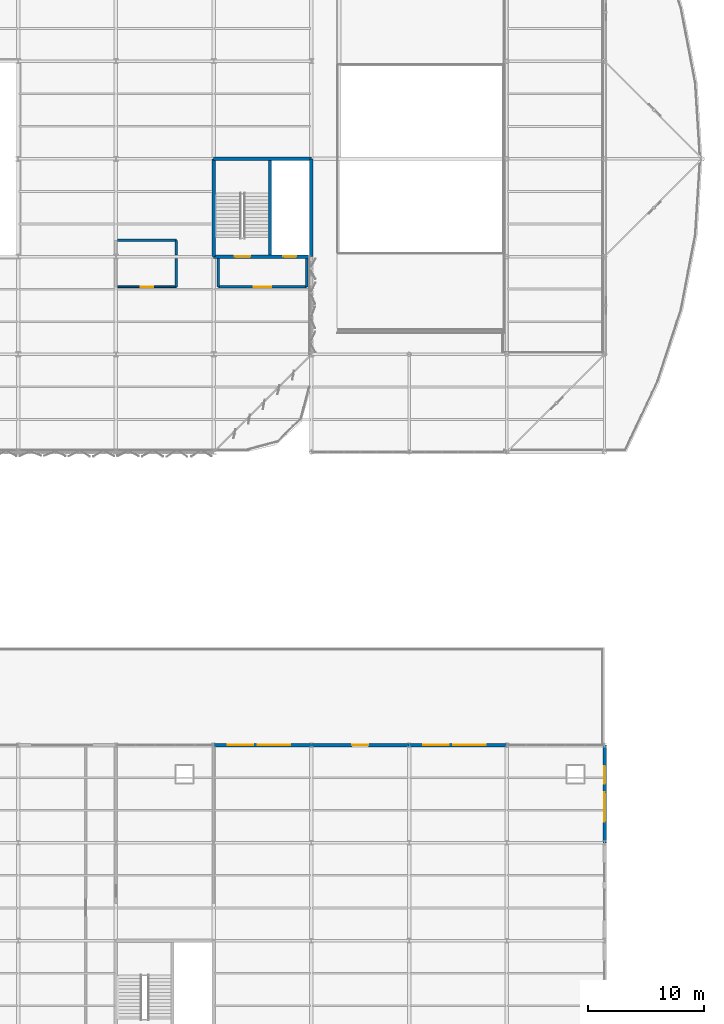
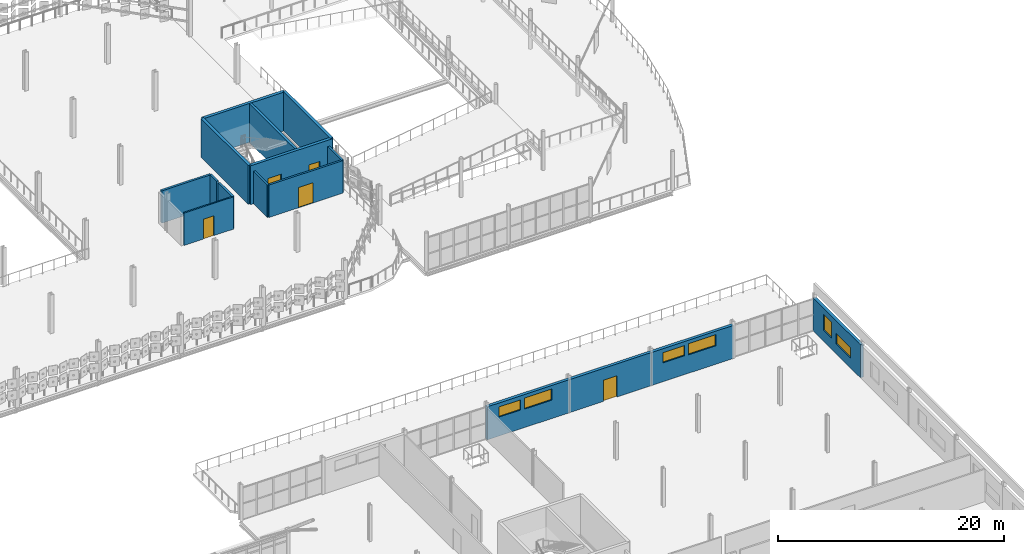
# One storey, part 159 of 184: 16 walls, 6 windows, 5 doors, 11 openings.
"""IFC4 building model written with IfcOpenShell, lengths in metres."""

from ifc_helpers import new_model, si_unit, direction, frame, frame_2d, origin, place, context, subcontext, project, spatial, rectangle, extrude, material, layer, layer_set, type_object, element, fill, save


model = new_model("IFC4")

# Units and contexts
model_context = context("Model", 3, precision=1e-05, world=origin(), true_north=direction((0.0, 1.0)))
body_context = subcontext(model_context, "Body", "Model", "MODEL_VIEW")
ifc_project = project(units=[si_unit("LENGTHUNIT", "METRE"), si_unit("AREAUNIT", "SQUARE_METRE"), si_unit("VOLUMEUNIT", "CUBIC_METRE"), si_unit("PLANEANGLEUNIT", "RADIAN"), si_unit("MASSUNIT", "GRAM", prefix="KILO")], contexts=[model_context])

# Site, building, storey
site_placement = place(None, origin())
site = spatial("IfcSite", under=ifc_project, at=site_placement, CompositionType="ELEMENT")
building_placement = place(site_placement, origin())
building = spatial("IfcBuilding", under=site, at=building_placement, Name="Qalvenar Corner Mobility Hub", CompositionType="ELEMENT")
storey_placement = place(building_placement, frame((0.0, 0.0, 9.0)))
storey = spatial("IfcBuildingStorey", under=building, at=storey_placement, Name="L02", CompositionType="ELEMENT", Elevation=9.0)

# Wall
ifc_material_1 = material(Name="Concrete C40/50", Category="concrete")
ifc_layer_1 = layer(ifc_material_1, 0.25)
ifc_layer_set_1 = layer_set([ifc_layer_1], Name="Concrete C40/50")
wall_type_1 = type_object("IfcWallType", Name="WL-CORE250", PredefinedType="SHEAR", material=ifc_layer_set_1)
wall_1_placement = place(storey_placement, frame((139.25, 84.14990234375, 0.0), z_axis=(0.0, 0.0, 1.0), x_axis=(0.0, 1.0, 0.0)))
element("IfcWall", 1, at=wall_1_placement, inside=storey, type_object=wall_type_1, Name="Core Divider Wall C4-L02", PredefinedType="SHEAR", context=body_context, shape_type="SweptSolid", body=[
    extrude(rectangle(XDim=8.10009765625, YDim=0.25, at=frame_2d((4.050048828125, 0.0))), origin(), (0.0, 0.0, 1.0), 4.199951171875),
])

# Wall, openings, doors
ifc_layer_2 = layer(ifc_material_1, 0.300048828125)
ifc_layer_set_2 = layer_set([ifc_layer_2], Name="Concrete C40/50")
wall_type_2 = type_object("IfcWallType", Name="WL-CORE300", PredefinedType="SHEAR", material=ifc_layer_set_2)
wall_2_placement = place(storey_placement, frame((134.39990234375, 84.0, 0.0), z_axis=(0.0, 0.0, 1.0), x_axis=(1.0, 0.0, 0.0)))
wall_2 = element("IfcWall", 2, at=wall_2_placement, inside=storey, type_object=wall_type_2, Name="Core Shear Wall C4-L02-S", PredefinedType="SHEAR", context=body_context, shape_type="SweptSolid", body=[
    extrude(rectangle(XDim=8.400146484375, YDim=0.300048828125, at=frame_2d((4.2001953125, 0.0))), origin(), (0.0, 0.0, 1.0), 4.199951171875),
])
opening_1_placement = place(wall_2_placement, frame((1.800048828125, 0.0, 0.0)))
opening_1 = element("IfcOpeningElement", 3, at=opening_1_placement, cuts=wall_2, Name="Opening DR-170", PredefinedType="OPENING", context=body_context, shape_type="SweptSolid", body=[
    extrude(rectangle(XDim=1.35009765625, YDim=2.199951171875, at=frame_2d((0.675048828125, 1.10009765625))), frame((0.0, 0.16015625, 0.0), z_axis=(0.0, -1.0, 0.0), x_axis=(1.0, 0.0, 0.0)), (0.0, 0.0, 1.0), 0.320068359375),
])
opening_2_placement = place(wall_2_placement, frame((6.0, 0.0, 0.0)))
opening_2 = element("IfcOpeningElement", 4, at=opening_2_placement, cuts=wall_2, Name="Opening DR-171", PredefinedType="OPENING", context=body_context, shape_type="SweptSolid", body=[
    extrude(rectangle(XDim=1.10009765625, YDim=2.199951171875, at=frame_2d((0.550048828125, 1.10009765625))), frame((0.0, 0.16015625, 0.0), z_axis=(0.0, -1.0, 0.0), x_axis=(1.0, 0.0, 0.0)), (0.0, 0.0, 1.0), 0.320068359375),
])
ifc_material_2 = material(Name="Stainless Steel Lift Landing Door", Category="steel")
door_type_1 = type_object("IfcDoorType", Name="DR-LIFT-110", OperationType="SLIDING_TO_LEFT", PredefinedType="DOOR", material=ifc_material_2)
door_1_placement = place(opening_2_placement, origin())
door_1 = element("IfcDoor", 5, at=door_1_placement, inside=storey, type_object=door_type_1, Name="DR-171 Lift Landing Door LP4-L02", OperationType="SLIDING_TO_LEFT", OverallHeight=2.199951171875, OverallWidth=1.10009765625, PredefinedType="DOOR", context=body_context, shape_type="SweptSolid", body=[
    extrude(rectangle(XDim=1.10009765625, YDim=2.199951171875, at=frame_2d((0.550048828125, 1.10009765625))), frame((0.0, 0.02490234375, 0.0), z_axis=(0.0, -1.0, 0.0), x_axis=(1.0, 0.0, 0.0)), (0.0, 0.0, 1.0), 0.050048828125),
])
fill(opening_2, door_1)
ifc_material_3 = material(Name="Fire-Rated Steel Stair Door FD90", Category="steel")
door_type_2 = type_object("IfcDoorType", Name="DR-STAIR-135", OperationType="NOTDEFINED", PredefinedType="DOOR", material=ifc_material_3)
door_2_placement = place(opening_1_placement, origin())
door_2 = element("IfcDoor", 6, at=door_2_placement, inside=storey, type_object=door_type_2, Name="DR-170 Stair Fire Door ST4-L02", OperationType="SINGLE_SWING_RIGHT", OverallHeight=2.199951171875, OverallWidth=1.35009765625, PredefinedType="DOOR", context=body_context, shape_type="SweptSolid", body=[
    extrude(rectangle(XDim=1.35009765625, YDim=2.199951171875, at=frame_2d((0.675048828125, 1.10009765625))), frame((0.0, 0.02490234375, 0.0), z_axis=(0.0, -1.0, 0.0), x_axis=(1.0, 0.0, 0.0)), (0.0, 0.0, 1.0), 0.050048828125),
])
fill(opening_1, door_2)

# Walls
wall_3_placement = place(storey_placement, frame((142.800048828125, 84.0, 0.0), z_axis=(0.0, 0.0, 1.0), x_axis=(0.0, 1.0, 0.0)))
element("IfcWall", 7, at=wall_3_placement, inside=storey, type_object=wall_type_2, Name="Core Shear Wall C4-L02-E", PredefinedType="SHEAR", context=body_context, shape_type="SweptSolid", body=[
    extrude(rectangle(XDim=8.39990234375, YDim=0.300048828125, at=frame_2d((4.199951171875, 0.0))), origin(), (0.0, 0.0, 1.0), 4.199951171875),
])
wall_4_placement = place(storey_placement, frame((142.800048828125, 92.39990234375, 0.0), z_axis=(0.0, 0.0, 1.0), x_axis=(-1.0, 0.0, 0.0)))
element("IfcWall", 8, at=wall_4_placement, inside=storey, type_object=wall_type_2, Name="Core Shear Wall C4-L02-N", PredefinedType="SHEAR", context=body_context, shape_type="SweptSolid", body=[
    extrude(rectangle(XDim=8.400146484375, YDim=0.300048828125, at=frame_2d((4.2001953125, 0.0))), origin(), (0.0, 0.0, 1.0), 4.199951171875),
])
wall_5_placement = place(storey_placement, frame((134.39990234375, 92.39990234375, 0.0), z_axis=(0.0, 0.0, 1.0), x_axis=(0.0, -1.0, 0.0)))
element("IfcWall", 9, at=wall_5_placement, inside=storey, type_object=wall_type_2, Name="Core Shear Wall C4-L02-W", PredefinedType="SHEAR", context=body_context, shape_type="SweptSolid", body=[
    extrude(rectangle(XDim=8.39990234375, YDim=0.300048828125, at=frame_2d((4.199951171875, 0.0))), origin(), (0.0, 0.0, 1.0), 4.199951171875),
])

# Wall, openings, windows
ifc_material_4 = material(Name="Lahori Fired Clay Brick Masonry", Category="masonry")
ifc_layer_3 = layer(ifc_material_4, 0.300048828125)
ifc_layer_set_3 = layer_set([ifc_layer_3], Name="Lahori Fired Clay Brick Masonry")
wall_type_3 = type_object("IfcWallType", Name="WL-EXT-BRK300", PredefinedType="STANDARD", material=ifc_layer_set_3)
wall_6_placement = place(storey_placement, frame((168.0, 33.60009765625, 0.0), z_axis=(0.0, 0.0, 1.0), x_axis=(0.0, 1.0, 0.0)))
wall_6 = element("IfcWall", 10, at=wall_6_placement, inside=storey, type_object=wall_type_3, Name="Exterior Facade Wall EW-V6-L02-E4", PredefinedType="STANDARD", context=body_context, shape_type="SweptSolid", body=[
    extrude(rectangle(XDim=8.39990234375, YDim=0.300048828125, at=frame_2d((4.199951171875, 0.0))), origin(), (0.0, 0.0, 1.0), 3.580078125),
])
opening_3_placement = place(wall_6_placement, frame((1.800048828125, 0.0, 1.050048828125)))
opening_3 = element("IfcOpeningElement", 11, at=opening_3_placement, cuts=wall_6, Name="Opening W-40", PredefinedType="OPENING", context=body_context, shape_type="SweptSolid", body=[
    extrude(rectangle(XDim=2.550048828125, YDim=1.14990234375, at=frame_2d((1.27490234375, 0.574951171875))), frame((0.0, 0.16015625, 0.0), z_axis=(0.0, -1.0, 0.0), x_axis=(1.0, 0.0, 0.0)), (0.0, 0.0, 1.0), 0.320068359375),
])
opening_4_placement = place(wall_6_placement, frame((5.10009765625, 0.0, 1.199951171875)))
opening_4 = element("IfcOpeningElement", 12, at=opening_4_placement, cuts=wall_6, Name="Opening W-18", PredefinedType="OPENING", context=body_context, shape_type="SweptSolid", body=[
    extrude(rectangle(XDim=1.5, YDim=1.699951171875, at=frame_2d((0.75, 0.85009765625))), frame((0.0, 0.16015625, 0.0), z_axis=(0.0, -1.0, 0.0), x_axis=(1.0, 0.0, 0.0)), (0.0, 0.0, 1.0), 0.320068359375),
])
ifc_material_5 = material(Name="Solar-Control Double-Glazed Bronze Window", Category="glass")
window_type_1 = type_object("IfcWindowType", Name="WN-CLR-255X115", PartitioningType="TRIPLE_PANEL_VERTICAL", PredefinedType="WINDOW", material=ifc_material_5)
window_1_placement = place(opening_3_placement, origin())
window_1 = element("IfcWindow", 13, at=window_1_placement, inside=storey, type_object=window_type_1, Name="Facade Window EW-V6-L02-E4-W1", OverallHeight=1.14990234375, OverallWidth=2.550048828125, PartitioningType="SINGLE_PANEL", PredefinedType="WINDOW", context=body_context, shape_type="SweptSolid", body=[
    extrude(rectangle(XDim=2.550048828125, YDim=1.14990234375, at=frame_2d((1.27490234375, 0.574951171875))), frame((0.0, 0.030029296875, 0.0), z_axis=(0.0, -1.0, 0.0), x_axis=(1.0, 0.0, 0.0)), (0.0, 0.0, 1.0), 0.06005859375),
])
fill(opening_3, window_1)
window_type_2 = type_object("IfcWindowType", Name="WN-WKS-150X170", PartitioningType="DOUBLE_PANEL_VERTICAL", PredefinedType="WINDOW", material=ifc_material_5)
window_2_placement = place(opening_4_placement, origin())
window_2 = element("IfcWindow", 14, at=window_2_placement, inside=storey, type_object=window_type_2, Name="Facade Window EW-V6-L02-E4-W2", OverallHeight=1.699951171875, OverallWidth=1.5, PartitioningType="SINGLE_PANEL", PredefinedType="WINDOW", context=body_context, shape_type="SweptSolid", body=[
    extrude(rectangle(XDim=1.5, YDim=1.699951171875, at=frame_2d((0.75, 0.85009765625))), frame((0.0, 0.030029296875, 0.0), z_axis=(0.0, -1.0, 0.0), x_axis=(1.0, 0.0, 0.0)), (0.0, 0.0, 1.0), 0.06005859375),
])
fill(opening_4, window_2)

wall_7_placement = place(storey_placement, frame((142.800048828125, 42.0, 0.0), z_axis=(0.0, 0.0, 1.0), x_axis=(-1.0, 0.0, 0.0)))
wall_7 = element("IfcWall", 15, at=wall_7_placement, inside=storey, type_object=wall_type_3, Name="Exterior Facade Wall EW-V6-L02-N3", PredefinedType="STANDARD", context=body_context, shape_type="SweptSolid", body=[
    extrude(rectangle(XDim=8.400146484375, YDim=0.300048828125, at=frame_2d((4.2001953125, 0.0))), origin(), (0.0, 0.0, 1.0), 3.580078125),
])
opening_5_placement = place(wall_7_placement, frame((1.800048828125, 0.0, 2.0)))
opening_5 = element("IfcOpeningElement", 16, at=opening_5_placement, cuts=wall_7, Name="Opening W-20", PredefinedType="OPENING", context=body_context, shape_type="SweptSolid", body=[
    extrude(rectangle(XDim=2.800048828125, YDim=1.199951171875, at=frame_2d((1.39990234375, 0.60009765625))), frame((0.0, 0.16015625, 0.0), z_axis=(0.0, -1.0, 0.0), x_axis=(1.0, 0.0, 0.0)), (0.0, 0.0, 1.0), 0.320068359375),
])
opening_6_placement = place(wall_7_placement, frame((5.0, 0.0, 2.050048828125)))
opening_6 = element("IfcOpeningElement", 17, at=opening_6_placement, cuts=wall_7, Name="Opening W-21", PredefinedType="OPENING", context=body_context, shape_type="SweptSolid", body=[
    extrude(rectangle(XDim=2.199951171875, YDim=1.10009765625, at=frame_2d((1.10009765625, 0.550048828125))), frame((0.0, 0.16015625, 0.0), z_axis=(0.0, -1.0, 0.0), x_axis=(1.0, 0.0, 0.0)), (0.0, 0.0, 1.0), 0.320068359375),
])
window_type_3 = type_object("IfcWindowType", Name="WN-CLR-220X110", PartitioningType="DOUBLE_PANEL_HORIZONTAL", PredefinedType="WINDOW", material=ifc_material_5)
window_3_placement = place(opening_6_placement, origin())
window_3 = element("IfcWindow", 18, at=window_3_placement, inside=storey, type_object=window_type_3, Name="Facade Window EW-V6-L02-N3-W2", OverallHeight=1.10009765625, OverallWidth=2.199951171875, PartitioningType="SINGLE_PANEL", PredefinedType="WINDOW", context=body_context, shape_type="SweptSolid", body=[
    extrude(rectangle(XDim=2.199951171875, YDim=1.10009765625, at=frame_2d((1.10009765625, 0.550048828125))), frame((0.0, 0.030029296875, 0.0), z_axis=(0.0, -1.0, 0.0), x_axis=(1.0, 0.0, 0.0)), (0.0, 0.0, 1.0), 0.06005859375),
])
fill(opening_6, window_3)
window_type_4 = type_object("IfcWindowType", Name="WN-CLR-280X120", PartitioningType="TRIPLE_PANEL_VERTICAL", PredefinedType="WINDOW", material=ifc_material_5)
window_4_placement = place(opening_5_placement, origin())
window_4 = element("IfcWindow", 19, at=window_4_placement, inside=storey, type_object=window_type_4, Name="Facade Window EW-V6-L02-N3-W1", OverallHeight=1.199951171875, OverallWidth=2.800048828125, PartitioningType="SINGLE_PANEL", PredefinedType="WINDOW", context=body_context, shape_type="SweptSolid", body=[
    extrude(rectangle(XDim=2.800048828125, YDim=1.199951171875, at=frame_2d((1.39990234375, 0.60009765625))), frame((0.0, 0.030029296875, 0.0), z_axis=(0.0, -1.0, 0.0), x_axis=(1.0, 0.0, 0.0)), (0.0, 0.0, 1.0), 0.06005859375),
])
fill(opening_5, window_4)

# Wall, opening, door
wall_8_placement = place(storey_placement, frame((151.199951171875, 42.0, 0.0), z_axis=(0.0, 0.0, 1.0), x_axis=(-1.0, 0.0, 0.0)))
wall_8 = element("IfcWall", 20, at=wall_8_placement, inside=storey, type_object=wall_type_3, Name="Exterior Facade Wall EW-V6-L02-N4", PredefinedType="STANDARD", context=body_context, shape_type="SweptSolid", body=[
    extrude(rectangle(XDim=8.39990234375, YDim=0.300048828125, at=frame_2d((4.199951171875, 0.0))), origin(), (0.0, 0.0, 1.0), 3.580078125),
])
opening_7_placement = place(wall_8_placement, frame((3.5, 0.0, 0.0)))
opening_7 = element("IfcOpeningElement", 21, at=opening_7_placement, cuts=wall_8, Name="Opening DR-157", PredefinedType="OPENING", context=body_context, shape_type="SweptSolid", body=[
    extrude(rectangle(XDim=1.39990234375, YDim=2.300048828125, at=frame_2d((0.699951171875, 1.14990234375))), frame((0.0, 0.16015625, 0.0), z_axis=(0.0, -1.0, 0.0), x_axis=(1.0, 0.0, 0.0)), (0.0, 0.0, 1.0), 0.320068359375),
])
ifc_material_6 = material(Name="Glazed Terrace Access Door", Category="aluminium")
door_type_3 = type_object("IfcDoorType", Name="DR-EXT-TER140", OperationType="DOUBLE_DOOR_SINGLE_SWING", PredefinedType="DOOR", material=ifc_material_6)
door_3_placement = place(opening_7_placement, origin())
door_3 = element("IfcDoor", 22, at=door_3_placement, inside=storey, type_object=door_type_3, Name="DR-157 Staff Canteen North Terrace Door L02", OperationType="DOUBLE_DOOR_SINGLE_SWING", OverallHeight=2.300048828125, OverallWidth=1.39990234375, PredefinedType="DOOR", context=body_context, shape_type="SweptSolid", body=[
    extrude(rectangle(XDim=1.39990234375, YDim=2.300048828125, at=frame_2d((0.699951171875, 1.14990234375))), frame((0.0, 0.02490234375, 0.0), z_axis=(0.0, -1.0, 0.0), x_axis=(1.0, 0.0, 0.0)), (0.0, 0.0, 1.0), 0.050048828125),
])
fill(opening_7, door_3)

# Wall, openings, windows
wall_9_placement = place(storey_placement, frame((159.60009765625, 42.0, 0.0), z_axis=(0.0, 0.0, 1.0), x_axis=(-1.0, 0.0, 0.0)))
wall_9 = element("IfcWall", 23, at=wall_9_placement, inside=storey, type_object=wall_type_3, Name="Exterior Facade Wall EW-V6-L02-N5", PredefinedType="STANDARD", context=body_context, shape_type="SweptSolid", body=[
    extrude(rectangle(XDim=8.400146484375, YDim=0.300048828125, at=frame_2d((4.2001953125, 0.0))), origin(), (0.0, 0.0, 1.0), 3.580078125),
])
opening_8_placement = place(wall_9_placement, frame((1.800048828125, 0.0, 2.0)))
opening_8 = element("IfcOpeningElement", 24, at=opening_8_placement, cuts=wall_9, Name="Opening W-20", PredefinedType="OPENING", context=body_context, shape_type="SweptSolid", body=[
    extrude(rectangle(XDim=2.800048828125, YDim=1.199951171875, at=frame_2d((1.39990234375, 0.60009765625))), frame((0.0, 0.16015625, 0.0), z_axis=(0.0, -1.0, 0.0), x_axis=(1.0, 0.0, 0.0)), (0.0, 0.0, 1.0), 0.320068359375),
])
opening_9_placement = place(wall_9_placement, frame((5.0, 0.0, 2.050048828125)))
opening_9 = element("IfcOpeningElement", 25, at=opening_9_placement, cuts=wall_9, Name="Opening W-21", PredefinedType="OPENING", context=body_context, shape_type="SweptSolid", body=[
    extrude(rectangle(XDim=2.199951171875, YDim=1.10009765625, at=frame_2d((1.10009765625, 0.550048828125))), frame((0.0, 0.16015625, 0.0), z_axis=(0.0, -1.0, 0.0), x_axis=(1.0, 0.0, 0.0)), (0.0, 0.0, 1.0), 0.320068359375),
])
window_5_placement = place(opening_9_placement, origin())
window_5 = element("IfcWindow", 26, at=window_5_placement, inside=storey, type_object=window_type_3, Name="Facade Window EW-V6-L02-N5-W2", OverallHeight=1.10009765625, OverallWidth=2.199951171875, PartitioningType="SINGLE_PANEL", PredefinedType="WINDOW", context=body_context, shape_type="SweptSolid", body=[
    extrude(rectangle(XDim=2.199951171875, YDim=1.10009765625, at=frame_2d((1.10009765625, 0.550048828125))), frame((0.0, 0.030029296875, 0.0), z_axis=(0.0, -1.0, 0.0), x_axis=(1.0, 0.0, 0.0)), (0.0, 0.0, 1.0), 0.06005859375),
])
fill(opening_9, window_5)
window_6_placement = place(opening_8_placement, origin())
window_6 = element("IfcWindow", 27, at=window_6_placement, inside=storey, type_object=window_type_4, Name="Facade Window EW-V6-L02-N5-W1", OverallHeight=1.199951171875, OverallWidth=2.800048828125, PartitioningType="SINGLE_PANEL", PredefinedType="WINDOW", context=body_context, shape_type="SweptSolid", body=[
    extrude(rectangle(XDim=2.800048828125, YDim=1.199951171875, at=frame_2d((1.39990234375, 0.60009765625))), frame((0.0, 0.030029296875, 0.0), z_axis=(0.0, -1.0, 0.0), x_axis=(1.0, 0.0, 0.0)), (0.0, 0.0, 1.0), 0.06005859375),
])
fill(opening_8, window_6)

# Walls
ifc_material_7 = material(Name="Concrete Blockwork Masonry", Category="masonry")
ifc_layer_4 = layer(ifc_material_7, 0.219970703125)
ifc_layer_set_4 = layer_set([ifc_layer_4], Name="Concrete Blockwork Masonry")
wall_type_4 = type_object("IfcWallType", Name="WL-FIRE220", PredefinedType="PARTITIONING", material=ifc_layer_set_4)
wall_10_placement = place(storey_placement, frame((126.14990234375, 85.39990234375, 0.0), z_axis=(0.0, 0.0, 1.0), x_axis=(1.0, 0.0, 0.0)))
element("IfcWall", 28, at=wall_10_placement, inside=storey, type_object=wall_type_4, Name="Interior Partition PRT-L02-030", PredefinedType="PARTITIONING", context=body_context, shape_type="SweptSolid", body=[
    extrude(rectangle(XDim=5.050048828125, YDim=0.219970703125, at=frame_2d((2.52490234375, 0.0))), origin(), (0.0, 0.0, 1.0), 3.5),
])
wall_11_placement = place(storey_placement, frame((131.199951171875, 81.39990234375, 0.0), z_axis=(0.0, 0.0, 1.0), x_axis=(0.0, 1.0, 0.0)))
element("IfcWall", 29, at=wall_11_placement, inside=storey, type_object=wall_type_4, Name="Interior Partition PRT-L02-045", PredefinedType="PARTITIONING", context=body_context, shape_type="SweptSolid", body=[
    extrude(rectangle(XDim=2.4501953125, YDim=0.219970703125, at=frame_2d((1.22509765625, 0.0))), origin(), (0.0, 0.0, 1.0), 3.5),
])
wall_12_placement = place(storey_placement, frame((131.199951171875, 84.14990234375, 0.0), z_axis=(0.0, 0.0, 1.0), x_axis=(0.0, 1.0, 0.0)))
element("IfcWall", 30, at=wall_12_placement, inside=storey, type_object=wall_type_4, Name="Interior Partition PRT-L02-046", PredefinedType="PARTITIONING", context=body_context, shape_type="SweptSolid", body=[
    extrude(rectangle(XDim=1.25, YDim=0.219970703125, at=frame_2d((0.625, 0.0))), origin(), (0.0, 0.0, 1.0), 3.5),
])
ifc_material_8 = material(Name="Concrete Blockwork Masonry", Category="masonry")
ifc_layer_5 = layer(ifc_material_8, 0.199951171875)
ifc_layer_set_5 = layer_set([ifc_layer_5], Name="Concrete Blockwork Masonry")
wall_type_5 = type_object("IfcWallType", Name="WL-LOBBY200", PredefinedType="PARTITIONING", material=ifc_layer_set_5)
for number, where, z_axis, x_axis, name in (
    (31, (134.800048828125, 81.39990234375, 0.0), (0.0, 0.0, 1.0), (0.0, 1.0, 0.0), "Interior Partition WL-LOB-C4-L02-W"),
    (32, (142.39990234375, 81.39990234375, 0.0), (0.0, 0.0, 1.0), (0.0, 1.0, 0.0), "Interior Partition WL-LOB-C4-L02-E"),
):
    element("IfcWall", number, at=place(storey_placement, frame(where, z_axis=z_axis, x_axis=x_axis)), inside=storey, type_object=wall_type_5, Name=name, PredefinedType="PARTITIONING", context=body_context, shape_type="SweptSolid", body=[
        extrude(rectangle(XDim=2.4501953125, YDim=0.199951171875, at=frame_2d((1.22509765625, 0.0))), origin(), (0.0, 0.0, 1.0), 3.52001953125),
    ])

# Wall, opening, door
wall_13_placement = place(storey_placement, frame((134.800048828125, 81.39990234375, 0.0), z_axis=(0.0, 0.0, 1.0), x_axis=(1.0, 0.0, 0.0)))
wall_13 = element("IfcWall", 33, at=wall_13_placement, inside=storey, type_object=wall_type_5, Name="Interior Partition WL-LOB-C4-L02-S", PredefinedType="PARTITIONING", context=body_context, shape_type="SweptSolid", body=[
    extrude(rectangle(XDim=7.599853515625, YDim=0.199951171875, at=frame_2d((3.7998046875, 0.0))), origin(), (0.0, 0.0, 1.0), 3.52001953125),
])
opening_10_placement = place(wall_13_placement, frame((3.050048828125, 0.0, 0.0)))
opening_10 = element("IfcOpeningElement", 34, at=opening_10_placement, cuts=wall_13, Name="Opening DR-172", PredefinedType="OPENING", context=body_context, shape_type="SweptSolid", body=[
    extrude(rectangle(XDim=1.5, YDim=2.199951171875, at=frame_2d((0.75, 1.10009765625))), frame((0.0, 0.10986328125, 0.0), z_axis=(0.0, -1.0, 0.0), x_axis=(1.0, 0.0, 0.0)), (0.0, 0.0, 1.0), 0.219970703125),
])
ifc_material_9 = material(Name="Firefighting Lobby Smoke-Control Door FD60", Category="steel")
door_type_4 = type_object("IfcDoorType", Name="DR-FFLOB-150", OperationType="DOUBLE_DOOR_SINGLE_SWING", PredefinedType="DOOR", material=ifc_material_9)
door_4_placement = place(opening_10_placement, origin())
door_4 = element("IfcDoor", 35, at=door_4_placement, inside=storey, type_object=door_type_4, Name="DR-172 Lift Lobby Smoke Door C4-L02", OperationType="DOUBLE_DOOR_SINGLE_SWING", OverallHeight=2.199951171875, OverallWidth=1.5, PredefinedType="DOOR", context=body_context, shape_type="SweptSolid", body=[
    extrude(rectangle(XDim=1.5, YDim=2.199951171875, at=frame_2d((0.75, 1.10009765625))), frame((0.0, 0.02490234375, 0.0), z_axis=(0.0, -1.0, 0.0), x_axis=(1.0, 0.0, 0.0)), (0.0, 0.0, 1.0), 0.050048828125),
])
fill(opening_10, door_4)

ifc_material_10 = material(Name="Ceramic-Tiled Moisture-Resistant Partition", Category="masonry")
ifc_layer_6 = layer(ifc_material_10, 0.14990234375)
ifc_layer_set_6 = layer_set([ifc_layer_6], Name="Ceramic-Tiled Moisture-Resistant Partition")
wall_type_6 = type_object("IfcWallType", Name="WL-WET150", PredefinedType="PARTITIONING", material=ifc_layer_set_6)
wall_14_placement = place(storey_placement, frame((126.14990234375, 81.39990234375, 0.0), z_axis=(0.0, 0.0, 1.0), x_axis=(1.0, 0.0, 0.0)))
wall_14 = element("IfcWall", 36, at=wall_14_placement, inside=storey, type_object=wall_type_6, Name="Interior Partition PRT-L02-029", PredefinedType="PARTITIONING", context=body_context, shape_type="SweptSolid", body=[
    extrude(rectangle(XDim=5.050048828125, YDim=0.14990234375, at=frame_2d((2.52490234375, 0.0))), origin(), (0.0, 0.0, 1.0), 3.5),
])
opening_11_placement = place(wall_14_placement, frame((2.0, 0.0, 0.0)))
opening_11 = element("IfcOpeningElement", 37, at=opening_11_placement, cuts=wall_14, Name="Opening DR-192", PredefinedType="OPENING", context=body_context, shape_type="SweptSolid", body=[
    extrude(rectangle(XDim=1.050048828125, YDim=2.14990234375, at=frame_2d((0.52490234375, 1.074951171875))), frame((0.0, 0.0849609375, 0.0), z_axis=(0.0, -1.0, 0.0), x_axis=(1.0, 0.0, 0.0)), (0.0, 0.0, 1.0), 0.169921875),
])
ifc_material_11 = material(Name="Accessible Wheelchair WC Door", Category="wood")
door_type_5 = type_object("IfcDoorType", Name="DR-INT-AWC105", OperationType="NOTDEFINED", PredefinedType="DOOR", material=ifc_material_11)
door_5_placement = place(opening_11_placement, origin())
door_5 = element("IfcDoor", 38, at=door_5_placement, inside=storey, type_object=door_type_5, Name="DR-192 Parking Deck L02 Accessible WC Door", OperationType="SINGLE_SWING_RIGHT", OverallHeight=2.14990234375, OverallWidth=1.050048828125, PredefinedType="DOOR", context=body_context, shape_type="SweptSolid", body=[
    extrude(rectangle(XDim=1.050048828125, YDim=2.14990234375, at=frame_2d((0.52490234375, 1.074951171875))), frame((0.0, 0.02490234375, 0.0), z_axis=(0.0, -1.0, 0.0), x_axis=(1.0, 0.0, 0.0)), (0.0, 0.0, 1.0), 0.050048828125),
])
fill(opening_11, door_5)

save(model, "model.ifc")
